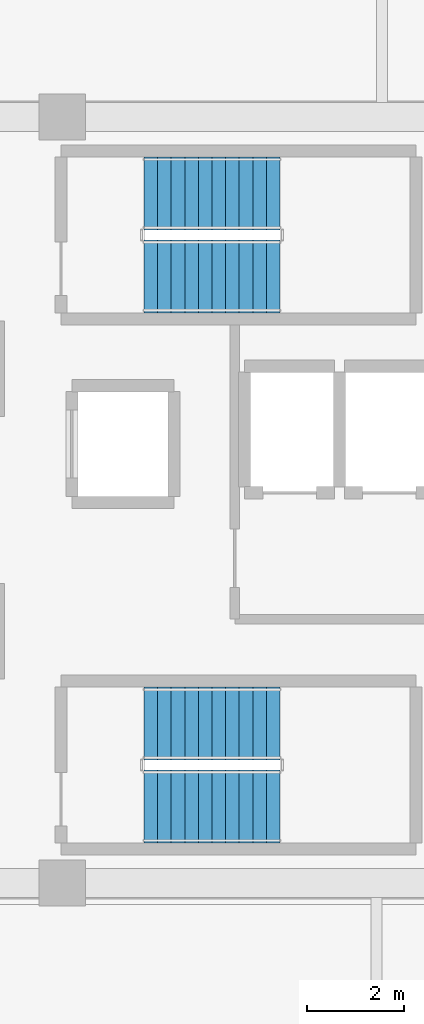
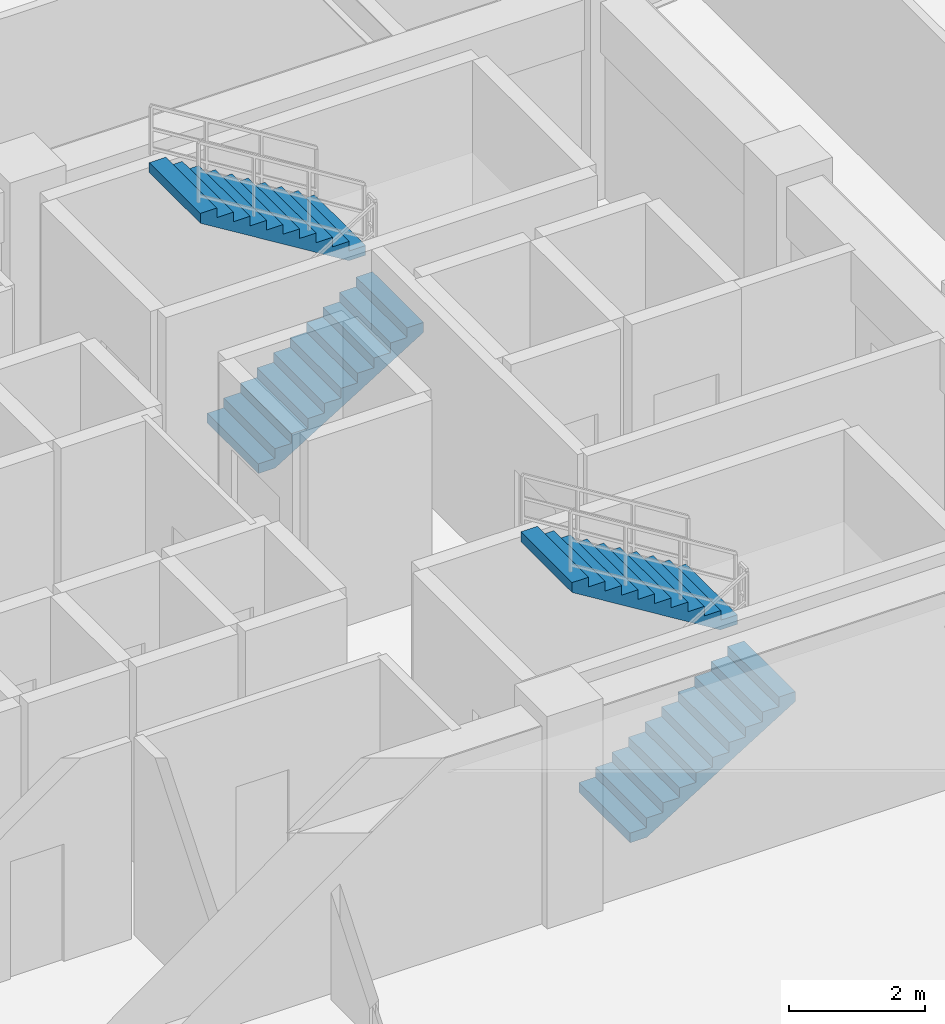
# One storey, part 12 of 15: 4 stair flights, 2 elements without a shape of their own.
"""IFC4 building model written with IfcOpenShell, lengths in metres."""

from ifc_helpers import new_model, si_unit, direction, frame, origin, place, context, subcontext, project, spatial, polyline, outline, extrude, material, type_object, element, aggregate, save


model = new_model("IFC4")

# Units and contexts
model_context = context("Model", 3, precision=1e-05, world=origin(), true_north=direction((0.0, 1.0)))
body_context = subcontext(model_context, "Body", "Model", "MODEL_VIEW")
ifc_project = project(units=[si_unit("LENGTHUNIT", "METRE"), si_unit("AREAUNIT", "SQUARE_METRE"), si_unit("VOLUMEUNIT", "CUBIC_METRE"), si_unit("PLANEANGLEUNIT", "RADIAN"), si_unit("MASSUNIT", "GRAM", prefix="KILO")], contexts=[model_context])

# Site, building, storey
site_placement = place(None, origin())
site = spatial("IfcSite", under=ifc_project, at=site_placement, CompositionType="ELEMENT")
building_placement = place(site_placement, origin())
building = spatial("IfcBuilding", under=site, at=building_placement, Name="Zulverin Broadcast Headquarters", CompositionType="ELEMENT")
storey_placement = place(building_placement, frame((0.0, 0.0, 132.60009765625)))
storey = spatial("IfcBuildingStorey", under=building, at=storey_placement, Name="L33", CompositionType="ELEMENT", Elevation=132.60009765625)

# Stair, stair flights
ifc_material = material(Name="Concrete C40/50", Category="concrete")
stair_type = type_object("IfcStairType", Name="ST-CORE-1500", PredefinedType="HALF_TURN_STAIR", material=ifc_material)
stair_1_placement = place(storey_placement, origin())
stair_1 = element("IfcStair", 1, at=stair_1_placement, inside=storey, type_object=stair_type, Name="L33 Core Exit Stair ST-1", PredefinedType="HALF_TURN_STAIR")
stair_flight_type = type_object("IfcStairFlightType", Name="SF-CORE-1500", PredefinedType="STRAIGHT", material=ifc_material)
stair_flight_1_placement = place(storey_placement, frame((40.1298828125, 29.800048828125, 0.0), z_axis=(0.0, 0.0, 1.0), x_axis=(1.0, 0.0, 0.0)))
stair_flight_1 = element("IfcStairFlight", 2, at=stair_flight_1_placement, type_object=stair_flight_type, Name="ST-1 flight 1", NumberOfRisers=11, NumberOfTreads=10, PredefinedType="STRAIGHT", RiserHeight=0.172727273, TreadLength=0.28, context=body_context, shape_type="SweptSolid", body=[
    extrude(outline(polyline([(0.0, 0.0), (0.0, 0.172607421875), (0.280029296875, 0.172607421875), (0.280029296875, 0.345458984375), (0.56005859375, 0.345458984375), (0.56005859375, 0.51806640625), (0.840087890625, 0.51806640625), (0.840087890625, 0.69091796875), (1.1201171875, 0.69091796875), (1.1201171875, 0.863525390625), (1.39990234375, 0.863525390625), (1.39990234375, 1.036376953125), (1.679931640625, 1.036376953125), (1.679931640625, 1.208984375), (1.9599609375, 1.208984375), (1.9599609375, 1.3818359375), (2.239990234375, 1.3818359375), (2.239990234375, 1.554443359375), (2.52001953125, 1.554443359375), (2.52001953125, 1.727294921875), (2.800048828125, 1.727294921875), (2.800048828125, 1.89990234375), (2.800048828125, 1.551025390625), (0.285400390625, 0.0), (0.0, 0.0)])), frame((0.0, 0.75, 0.0), z_axis=(0.0, -1.0, 0.0), x_axis=(1.0, 0.0, 0.0)), (0.0, 0.0, 1.0), 1.5),
])
stair_flight_2_placement = place(storey_placement, frame((42.929931640625, 31.5, 1.89990234375), z_axis=(0.0, 0.0, 1.0), x_axis=(-1.0, 0.0, 0.0)))
stair_flight_2 = element("IfcStairFlight", 3, at=stair_flight_2_placement, type_object=stair_flight_type, Name="ST-1 flight 2", NumberOfRisers=11, NumberOfTreads=10, PredefinedType="STRAIGHT", RiserHeight=0.172727273, TreadLength=0.28, context=body_context, shape_type="SweptSolid", body=[
    extrude(outline(polyline([(0.0, 0.0), (0.0, 0.172607421875), (0.280029296875, 0.172607421875), (0.280029296875, 0.345458984375), (0.56005859375, 0.345458984375), (0.56005859375, 0.51806640625), (0.840087890625, 0.51806640625), (0.840087890625, 0.69091796875), (1.1201171875, 0.69091796875), (1.1201171875, 0.863525390625), (1.39990234375, 0.863525390625), (1.39990234375, 1.036376953125), (1.679931640625, 1.036376953125), (1.679931640625, 1.208984375), (1.9599609375, 1.208984375), (1.9599609375, 1.3818359375), (2.239990234375, 1.3818359375), (2.239990234375, 1.554443359375), (2.52001953125, 1.554443359375), (2.52001953125, 1.727294921875), (2.800048828125, 1.727294921875), (2.800048828125, 1.89990234375), (2.800048828125, 1.551025390625), (0.285400390625, 0.0), (0.0, 0.0)])), frame((0.0, 0.75, 0.0), z_axis=(0.0, -1.0, 0.0), x_axis=(1.0, 0.0, 0.0)), (0.0, 0.0, 1.0), 1.5),
])
aggregate(stair_1, [stair_flight_1, stair_flight_2])

stair_2_placement = place(storey_placement, origin())
stair_2 = element("IfcStair", 4, at=stair_2_placement, inside=storey, type_object=stair_type, Name="L33 Core Exit Stair ST-2", PredefinedType="HALF_TURN_STAIR")
stair_flight_3_placement = place(storey_placement, frame((40.1298828125, 18.89990234375, 0.0), z_axis=(0.0, 0.0, 1.0), x_axis=(1.0, 0.0, 0.0)))
stair_flight_3 = element("IfcStairFlight", 5, at=stair_flight_3_placement, type_object=stair_flight_type, Name="ST-2 flight 1", NumberOfRisers=11, NumberOfTreads=10, PredefinedType="STRAIGHT", RiserHeight=0.172727273, TreadLength=0.28, context=body_context, shape_type="SweptSolid", body=[
    extrude(outline(polyline([(0.0, 0.0), (0.0, 0.172607421875), (0.280029296875, 0.172607421875), (0.280029296875, 0.345458984375), (0.56005859375, 0.345458984375), (0.56005859375, 0.51806640625), (0.840087890625, 0.51806640625), (0.840087890625, 0.69091796875), (1.1201171875, 0.69091796875), (1.1201171875, 0.863525390625), (1.39990234375, 0.863525390625), (1.39990234375, 1.036376953125), (1.679931640625, 1.036376953125), (1.679931640625, 1.208984375), (1.9599609375, 1.208984375), (1.9599609375, 1.3818359375), (2.239990234375, 1.3818359375), (2.239990234375, 1.554443359375), (2.52001953125, 1.554443359375), (2.52001953125, 1.727294921875), (2.800048828125, 1.727294921875), (2.800048828125, 1.89990234375), (2.800048828125, 1.551025390625), (0.285400390625, 0.0), (0.0, 0.0)])), frame((0.0, 0.75, 0.0), z_axis=(0.0, -1.0, 0.0), x_axis=(1.0, 0.0, 0.0)), (0.0, 0.0, 1.0), 1.5),
])
stair_flight_4_placement = place(storey_placement, frame((42.929931640625, 20.60009765625, 1.89990234375), z_axis=(0.0, 0.0, 1.0), x_axis=(-1.0, 0.0, 0.0)))
stair_flight_4 = element("IfcStairFlight", 6, at=stair_flight_4_placement, type_object=stair_flight_type, Name="ST-2 flight 2", NumberOfRisers=11, NumberOfTreads=10, PredefinedType="STRAIGHT", RiserHeight=0.172727273, TreadLength=0.28, context=body_context, shape_type="SweptSolid", body=[
    extrude(outline(polyline([(0.0, 0.0), (0.0, 0.172607421875), (0.280029296875, 0.172607421875), (0.280029296875, 0.345458984375), (0.56005859375, 0.345458984375), (0.56005859375, 0.51806640625), (0.840087890625, 0.51806640625), (0.840087890625, 0.69091796875), (1.1201171875, 0.69091796875), (1.1201171875, 0.863525390625), (1.39990234375, 0.863525390625), (1.39990234375, 1.036376953125), (1.679931640625, 1.036376953125), (1.679931640625, 1.208984375), (1.9599609375, 1.208984375), (1.9599609375, 1.3818359375), (2.239990234375, 1.3818359375), (2.239990234375, 1.554443359375), (2.52001953125, 1.554443359375), (2.52001953125, 1.727294921875), (2.800048828125, 1.727294921875), (2.800048828125, 1.89990234375), (2.800048828125, 1.551025390625), (0.285400390625, 0.0), (0.0, 0.0)])), frame((0.0, 0.75, 0.0), z_axis=(0.0, -1.0, 0.0), x_axis=(1.0, 0.0, 0.0)), (0.0, 0.0, 1.0), 1.5),
])
aggregate(stair_2, [stair_flight_3, stair_flight_4])

save(model, "model.ifc")
